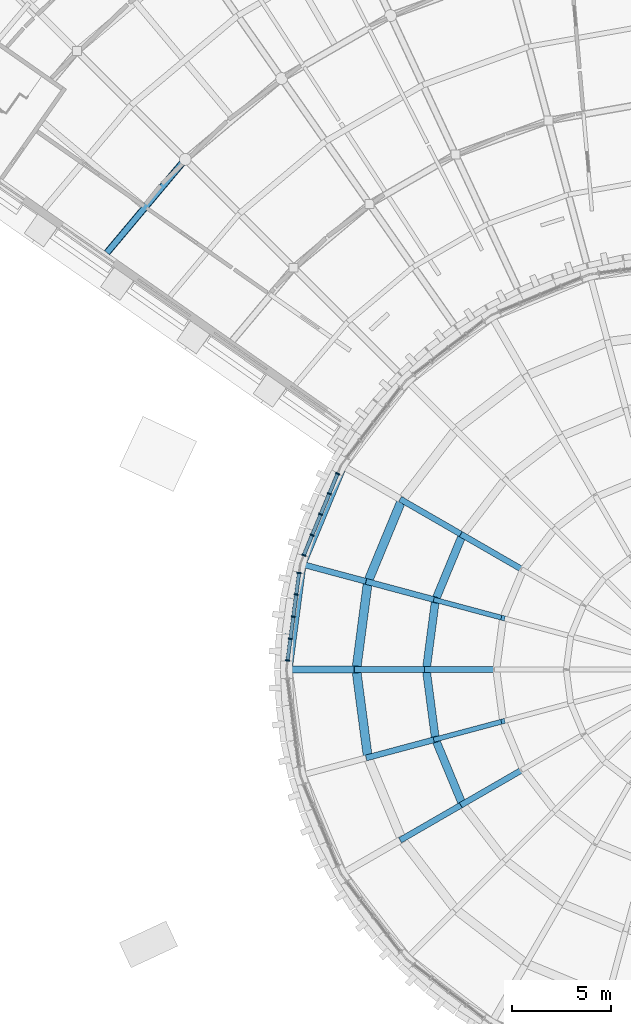
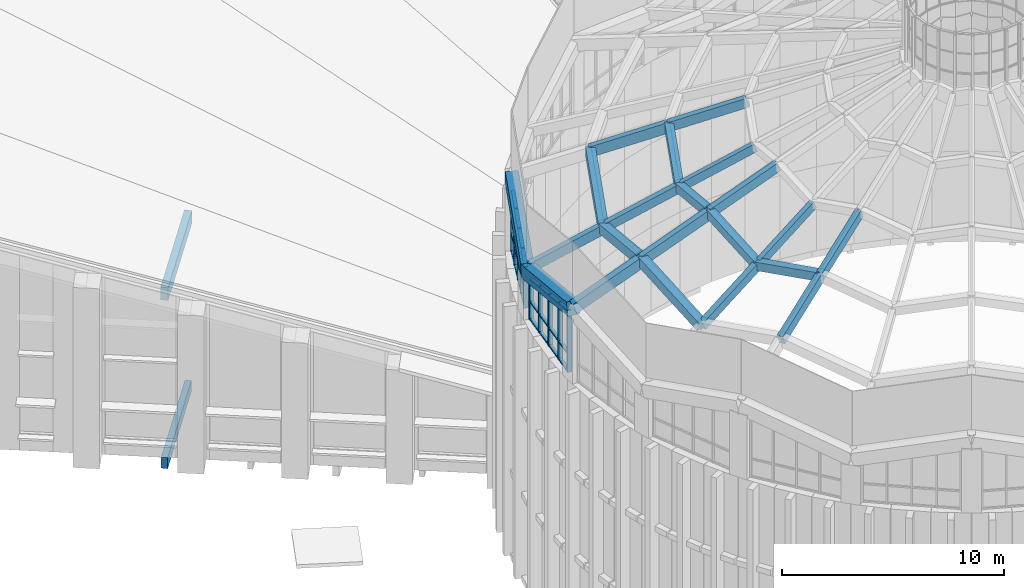
# One storey, part 9 of 82: 34 members, 23 beams, 2 elements without a shape of their own.
"""IFC4 building model written with IfcOpenShell, lengths in metres."""

from ifc_helpers import new_model, si_unit, direction, frame, origin, origin_2d, place, context, subcontext, project, spatial, rectangle, extrude, material, layer, layer_set, material_profile, profile_set, type_object, element, aggregate, save


model = new_model("IFC4")

# Units and contexts
model_context = context("Model", 3, precision=1e-05, world=origin(), true_north=direction((0.0, 1.0)))
body_context = subcontext(model_context, "Body", "Model", "MODEL_VIEW")
ifc_project = project(units=[si_unit("LENGTHUNIT", "METRE"), si_unit("AREAUNIT", "SQUARE_METRE"), si_unit("VOLUMEUNIT", "CUBIC_METRE"), si_unit("PLANEANGLEUNIT", "RADIAN"), si_unit("MASSUNIT", "GRAM", prefix="KILO")], contexts=[model_context])

# Site, building, storey
site_placement = place(None, origin())
site = spatial("IfcSite", under=ifc_project, at=site_placement, CompositionType="ELEMENT")
building_placement = place(site_placement, origin())
building = spatial("IfcBuilding", under=site, at=building_placement, Name="Volute Hill Aquarium", CompositionType="ELEMENT")
storey_placement = place(building_placement, frame((0.0, 0.0, 13.800048828125)))
storey = spatial("IfcBuildingStorey", under=building, at=storey_placement, Name="L04", CompositionType="ELEMENT", Elevation=13.800048828125)

# Beams
ifc_material_1 = material(Name="Concrete C35/45", Category="concrete")
ifc_material_profile_1 = material_profile(ifc_material_1, rectangle(XDim=0.300048828125, YDim=0.60009765625, at=origin_2d()), Name="RC beam 300x600")
ifc_profile_set_1 = profile_set([ifc_material_profile_1], Name="Concrete C35/45")
beam_type_1 = type_object("IfcBeamType", Name="Beam 300x600 C35/45", PredefinedType="BEAM", material=ifc_profile_set_1)
beam_1_placement = place(storey_placement, frame((-25.809326171875, 25.809326171875, -0.6201171875), z_axis=(-0.642803579535, -0.766031042541, 0.0), x_axis=(0.766031042541, -0.642803579535, 0.0)))
element("IfcBeam", 1, at=beam_1_placement, inside=storey, type_object=beam_type_1, Name="bm/S6/L04/ring2.26", PredefinedType="BEAM", context=body_context, shape_type="SweptSolid", body=[
    extrude(rectangle(XDim=0.300048828125, YDim=0.60009765625, at=origin_2d()), origin(), (0.0, 0.0, 1.0), 6.16162109375),
])
ifc_material_2 = material(Name="Concrete C35/45", Category="concrete")
ifc_material_profile_2 = material_profile(ifc_material_2, rectangle(XDim=0.35009765625, YDim=0.699951171875, at=origin_2d()), Name="RC beam 350x700")
ifc_profile_set_2 = profile_set([ifc_material_profile_2], Name="Concrete C35/45")
beam_type_2 = type_object("IfcBeamType", Name="Beam 350x700 C35/45", PredefinedType="BEAM", material=ifc_profile_set_2)
beam_2_placement = place(storey_placement, frame((-25.809326171875, 25.809326171875, 8.676513671875), z_axis=(-0.642803579535, -0.766031042541, 0.0), x_axis=(0.766031042541, -0.642803579535, 0.0)))
element("IfcBeam", 2, at=beam_2_placement, inside=storey, type_object=beam_type_2, Name="rb/S6/L04/ring2.26", PredefinedType="BEAM", context=body_context, shape_type="SweptSolid", body=[
    extrude(rectangle(XDim=0.35009765625, YDim=0.699951171875, at=origin_2d()), origin(), (0.0, 0.0, 1.0), 6.16162109375),
])

# Curtain wall, members
ifc_material_3 = material(Name="Aluminium", Category="aluminium")
ifc_layer = layer(ifc_material_3, 0.219970703125)
ifc_layer_set = layer_set([ifc_layer], Name="Curtain wall DR clerestory module 1134")
curtain_wall_type = type_object("IfcCurtainWallType", Name="Curtain wall DR clerestory module 1134", PredefinedType="NOTDEFINED", material=ifc_layer_set)
curtain_wall_1_placement = place(storey_placement, origin())
curtain_wall_1 = element("IfcCurtainWall", 3, at=curtain_wall_1_placement, inside=storey, type_object=curtain_wall_type, Name="Curtain wall CW DR clerestory c10", PredefinedType="NOTDEFINED")
ifc_material_4 = material(Name="Aluminium", Category="aluminium")
ifc_material_profile_3 = material_profile(ifc_material_4, rectangle(XDim=0.219970703125, YDim=0.070068359375, at=origin_2d()), Name="Curtain wall mullion clerestory 70x220")
ifc_profile_set_3 = profile_set([ifc_material_profile_3], Name="Aluminium")
member_type_1 = type_object("IfcMemberType", Name="Curtain wall mullion clerestory 70x220", PredefinedType="MULLION", material=ifc_profile_set_3)
member_1_placement = place(storey_placement, frame((-18.106201171875, 9.916748046875, 13.699951171875), z_axis=(0.0, 0.0, 1.0), x_axis=(0.923874284426, -0.382696102118, 0.0)))
member_1 = element("IfcMember", 4, at=member_1_placement, type_object=member_type_1, Name="Mullion DR clerestory 1", PredefinedType="MULLION", context=body_context, shape_type="SweptSolid", body=[
    extrude(rectangle(XDim=0.219970703125, YDim=0.070068359375, at=origin_2d()), origin(), (0.0, 0.0, 1.0), 3.40576171875),
])
member_2_placement = place(storey_placement, frame((-18.526611328125, 8.9013671875, 13.699951171875), z_axis=(0.0, 0.0, 1.0), x_axis=(0.923874284426, -0.382696102118, 0.0)))
member_2 = element("IfcMember", 5, at=member_2_placement, type_object=member_type_1, Name="Mullion DR clerestory 2", PredefinedType="MULLION", context=body_context, shape_type="SweptSolid", body=[
    extrude(rectangle(XDim=0.219970703125, YDim=0.070068359375, at=origin_2d()), origin(), (0.0, 0.0, 1.0), 3.12109375),
])
member_3_placement = place(storey_placement, frame((-18.960693359375, 7.853759765625, 13.699951171875), z_axis=(0.0, 0.0, 1.0), x_axis=(0.923874284426, -0.382696102118, 0.0)))
member_3 = element("IfcMember", 6, at=member_3_placement, type_object=member_type_1, Name="Mullion DR clerestory 3", PredefinedType="MULLION", context=body_context, shape_type="SweptSolid", body=[
    extrude(rectangle(XDim=0.219970703125, YDim=0.070068359375, at=origin_2d()), origin(), (0.0, 0.0, 1.0), 2.827392578125),
])
member_4_placement = place(storey_placement, frame((-19.394775390625, 6.80615234375, 13.699951171875), z_axis=(0.0, 0.0, 1.0), x_axis=(0.923874284426, -0.382696102118, 0.0)))
member_4 = element("IfcMember", 7, at=member_4_placement, type_object=member_type_1, Name="Mullion DR clerestory 4", PredefinedType="MULLION", context=body_context, shape_type="SweptSolid", body=[
    extrude(rectangle(XDim=0.219970703125, YDim=0.070068359375, at=origin_2d()), origin(), (0.0, 0.0, 1.0), 2.533447265625),
])
member_5_placement = place(storey_placement, frame((-19.815185546875, 5.790771484375, 13.699951171875), z_axis=(0.0, 0.0, 1.0), x_axis=(0.923874284426, -0.382696102118, 0.0)))
member_5 = element("IfcMember", 8, at=member_5_placement, type_object=member_type_1, Name="Mullion DR clerestory 5", PredefinedType="MULLION", context=body_context, shape_type="SweptSolid", body=[
    extrude(rectangle(XDim=0.219970703125, YDim=0.070068359375, at=origin_2d()), origin(), (0.0, 0.0, 1.0), 2.248779296875),
])

curtain_wall_2_placement = place(storey_placement, origin())
curtain_wall_2 = element("IfcCurtainWall", 9, at=curtain_wall_2_placement, inside=storey, type_object=curtain_wall_type, Name="Curtain wall CW DR clerestory c11", PredefinedType="NOTDEFINED")
member_6_placement = place(storey_placement, frame((-20.055908203125, 4.892822265625, 13.699951171875), z_axis=(0.0, 0.0, 1.0), x_axis=(0.991445853287, -0.130518657667, 0.0)))
member_6 = element("IfcMember", 10, at=member_6_placement, type_object=member_type_1, Name="Mullion DR clerestory 1", PredefinedType="MULLION", context=body_context, shape_type="SweptSolid", body=[
    extrude(rectangle(XDim=0.219970703125, YDim=0.070068359375, at=origin_2d()), origin(), (0.0, 0.0, 1.0), 2.248779296875),
])
member_7_placement = place(storey_placement, frame((-20.19921875, 3.80322265625, 13.699951171875), z_axis=(0.0, 0.0, 1.0), x_axis=(0.991445853287, -0.130518657667, 0.0)))
member_7 = element("IfcMember", 11, at=member_7_placement, type_object=member_type_1, Name="Mullion DR clerestory 2", PredefinedType="MULLION", context=body_context, shape_type="SweptSolid", body=[
    extrude(rectangle(XDim=0.219970703125, YDim=0.070068359375, at=origin_2d()), origin(), (0.0, 0.0, 1.0), 2.533447265625),
])
member_8_placement = place(storey_placement, frame((-20.347412109375, 2.6787109375, 13.699951171875), z_axis=(0.0, 0.0, 1.0), x_axis=(0.991445853287, -0.130518657667, 0.0)))
member_8 = element("IfcMember", 12, at=member_8_placement, type_object=member_type_1, Name="Mullion DR clerestory 3", PredefinedType="MULLION", context=body_context, shape_type="SweptSolid", body=[
    extrude(rectangle(XDim=0.219970703125, YDim=0.070068359375, at=origin_2d()), origin(), (0.0, 0.0, 1.0), 2.827392578125),
])
member_9_placement = place(storey_placement, frame((-20.495361328125, 1.554443359375, 13.699951171875), z_axis=(0.0, 0.0, 1.0), x_axis=(0.991445853287, -0.130518657667, 0.0)))
member_9 = element("IfcMember", 13, at=member_9_placement, type_object=member_type_1, Name="Mullion DR clerestory 4", PredefinedType="MULLION", context=body_context, shape_type="SweptSolid", body=[
    extrude(rectangle(XDim=0.219970703125, YDim=0.070068359375, at=origin_2d()), origin(), (0.0, 0.0, 1.0), 3.12109375),
])
member_10_placement = place(storey_placement, frame((-20.638916015625, 0.46484375, 13.699951171875), z_axis=(0.0, 0.0, 1.0), x_axis=(0.991445853287, -0.130518657667, 0.0)))
member_10 = element("IfcMember", 14, at=member_10_placement, type_object=member_type_1, Name="Mullion DR clerestory 5", PredefinedType="MULLION", context=body_context, shape_type="SweptSolid", body=[
    extrude(rectangle(XDim=0.219970703125, YDim=0.070068359375, at=origin_2d()), origin(), (0.0, 0.0, 1.0), 3.40576171875),
])

# Member
ifc_material_5 = material(Name="Aluminium", Category="aluminium")
ifc_material_profile_4 = material_profile(ifc_material_5, rectangle(XDim=0.179931640625, YDim=0.070068359375, at=origin_2d()), Name="Curtain wall transom clerestory 70x180")
ifc_profile_set_4 = profile_set([ifc_material_profile_4], Name="Aluminium")
member_type_2 = type_object("IfcMemberType", Name="Curtain wall transom clerestory 70x180", PredefinedType="USERDEFINED", material=ifc_profile_set_4)
member_11_placement = place(storey_placement, frame((-18.11962890625, 9.884521484375, 13.73486328125), z_axis=(-0.382694041496, -0.923875137994, 0.0), x_axis=(0.923875137994, -0.382694041496, 0.0)))
member_11 = element("IfcMember", 15, at=member_11_placement, type_object=member_type_2, Name="Transom DR clerestory 1.1", ObjectType="TRANSOM", PredefinedType="USERDEFINED", context=body_context, shape_type="SweptSolid", body=[
    extrude(rectangle(XDim=0.179931640625, YDim=0.070068359375, at=origin_2d()), origin(), (0.0, 0.0, 1.0), 1.029052734375),
])

member_12_placement = place(storey_placement, frame((-18.11962890625, 9.884521484375, 14.699951171875), z_axis=(-0.382694041496, -0.923875137994, 0.0), x_axis=(0.923875137994, -0.382694041496, 0.0)))
member_12 = element("IfcMember", 16, at=member_12_placement, type_object=member_type_2, Name="Transom DR clerestory 1.2", ObjectType="TRANSOM", PredefinedType="USERDEFINED", context=body_context, shape_type="SweptSolid", body=[
    extrude(rectangle(XDim=0.179931640625, YDim=0.070068359375, at=origin_2d()), origin(), (0.0, 0.0, 1.0), 1.029052734375),
])

member_13_placement = place(storey_placement, frame((-18.11962890625, 9.884521484375, 17.061767578125), z_axis=(-0.370462446249, -0.894346413946, -0.250802846438), x_axis=(0.923875137994, -0.382694041496, 0.0)))
member_13 = element("IfcMember", 17, at=member_13_placement, type_object=member_type_2, Name="Head member DR clerestory 1", ObjectType="TRANSOM", PredefinedType="USERDEFINED", context=body_context, shape_type="SweptSolid", body=[
    extrude(rectangle(XDim=0.179931640625, YDim=0.070068359375, at=origin_2d()), origin(), (0.0, 0.0, 1.0), 1.06298828125),
])

member_14_placement = place(storey_placement, frame((-18.5400390625, 8.869140625, 13.73486328125), z_axis=(-0.38275711533, -0.923849008585, 0.0), x_axis=(0.923849008585, -0.38275711533, 0.0)))
member_14 = element("IfcMember", 18, at=member_14_placement, type_object=member_type_2, Name="Transom DR clerestory 2.1", ObjectType="TRANSOM", PredefinedType="USERDEFINED", context=body_context, shape_type="SweptSolid", body=[
    extrude(rectangle(XDim=0.179931640625, YDim=0.070068359375, at=origin_2d()), origin(), (0.0, 0.0, 1.0), 1.06396484375),
])

member_15_placement = place(storey_placement, frame((-18.5400390625, 8.869140625, 14.699951171875), z_axis=(-0.38275711533, -0.923849008585, 0.0), x_axis=(0.923849008585, -0.38275711533, 0.0)))
member_15 = element("IfcMember", 19, at=member_15_placement, type_object=member_type_2, Name="Transom DR clerestory 2.2", ObjectType="TRANSOM", PredefinedType="USERDEFINED", context=body_context, shape_type="SweptSolid", body=[
    extrude(rectangle(XDim=0.179931640625, YDim=0.070068359375, at=origin_2d()), origin(), (0.0, 0.0, 1.0), 1.06396484375),
])

member_16_placement = place(storey_placement, frame((-18.5400390625, 8.869140625, 16.777099609375), z_axis=(-0.3705038637, -0.894273714183, -0.251000818934), x_axis=(0.923849008585, -0.38275711533, 0.0)))
member_16 = element("IfcMember", 20, at=member_16_placement, type_object=member_type_2, Name="Head member DR clerestory 2", ObjectType="TRANSOM", PredefinedType="USERDEFINED", context=body_context, shape_type="SweptSolid", body=[
    extrude(rectangle(XDim=0.179931640625, YDim=0.070068359375, at=origin_2d()), origin(), (0.0, 0.0, 1.0), 1.09912109375),
])

member_17_placement = place(storey_placement, frame((-18.97412109375, 7.821533203125, 13.73486328125), z_axis=(-0.382675987972, -0.923882616045, 0.0), x_axis=(0.923882616045, -0.382675987972, 0.0)))
member_17 = element("IfcMember", 21, at=member_17_placement, type_object=member_type_2, Name="Transom DR clerestory 3.1", ObjectType="TRANSOM", PredefinedType="USERDEFINED", context=body_context, shape_type="SweptSolid", body=[
    extrude(rectangle(XDim=0.179931640625, YDim=0.070068359375, at=origin_2d()), origin(), (0.0, 0.0, 1.0), 1.064208984375),
])

member_18_placement = place(storey_placement, frame((-18.97412109375, 7.821533203125, 14.699951171875), z_axis=(-0.382675987972, -0.923882616045, 0.0), x_axis=(0.923882616045, -0.382675987972, 0.0)))
member_18 = element("IfcMember", 22, at=member_18_placement, type_object=member_type_2, Name="Transom DR clerestory 3.2", ObjectType="TRANSOM", PredefinedType="USERDEFINED", context=body_context, shape_type="SweptSolid", body=[
    extrude(rectangle(XDim=0.179931640625, YDim=0.070068359375, at=origin_2d()), origin(), (0.0, 0.0, 1.0), 1.064208984375),
])

member_19_placement = place(storey_placement, frame((-18.97412109375, 7.821533203125, 16.483154296875), z_axis=(-0.37045091668, -0.894368010473, -0.250742856674), x_axis=(0.923882616045, -0.382675987972, 0.0)))
member_19 = element("IfcMember", 23, at=member_19_placement, type_object=member_type_2, Name="Head member DR clerestory 3", ObjectType="TRANSOM", PredefinedType="USERDEFINED", context=body_context, shape_type="SweptSolid", body=[
    extrude(rectangle(XDim=0.179931640625, YDim=0.070068359375, at=origin_2d()), origin(), (0.0, 0.0, 1.0), 1.099365234375),
])

member_20_placement = place(storey_placement, frame((-19.407958984375, 6.773681640625, 13.73486328125), z_axis=(-0.382777942923, -0.923840379293, 0.0), x_axis=(0.923840379293, -0.382777942923, 0.0)))
member_20 = element("IfcMember", 24, at=member_20_placement, type_object=member_type_2, Name="Transom DR clerestory 4.1", ObjectType="TRANSOM", PredefinedType="USERDEFINED", context=body_context, shape_type="SweptSolid", body=[
    extrude(rectangle(XDim=0.179931640625, YDim=0.070068359375, at=origin_2d()), origin(), (0.0, 0.0, 1.0), 1.02880859375),
])

member_21_placement = place(storey_placement, frame((-19.407958984375, 6.773681640625, 14.699951171875), z_axis=(-0.382777942923, -0.923840379293, 0.0), x_axis=(0.923840379293, -0.382777942923, 0.0)))
member_21 = element("IfcMember", 25, at=member_21_placement, type_object=member_type_2, Name="Transom DR clerestory 4.2", ObjectType="TRANSOM", PredefinedType="USERDEFINED", context=body_context, shape_type="SweptSolid", body=[
    extrude(rectangle(XDim=0.179931640625, YDim=0.070068359375, at=origin_2d()), origin(), (0.0, 0.0, 1.0), 1.02880859375),
])

member_22_placement = place(storey_placement, frame((-19.407958984375, 6.773681640625, 16.189453125), z_axis=(-0.370538555568, -0.894300432006, -0.250854372399), x_axis=(0.923840379293, -0.382777942923, 0.0)))
member_22 = element("IfcMember", 26, at=member_22_placement, type_object=member_type_2, Name="Head member DR clerestory 4", ObjectType="TRANSOM", PredefinedType="USERDEFINED", context=body_context, shape_type="SweptSolid", body=[
    extrude(rectangle(XDim=0.179931640625, YDim=0.070068359375, at=origin_2d()), origin(), (0.0, 0.0, 1.0), 1.062744140625),
])

aggregate(curtain_wall_1, [member_1, member_2, member_3, member_4, member_5, member_11, member_12, member_13, member_14, member_15, member_16, member_17, member_18, member_19, member_20, member_21, member_22])

member_23_placement = place(storey_placement, frame((-20.060546875, 4.85791015625, 13.73486328125), z_axis=(-0.130515897359, -0.991446216664, 0.0), x_axis=(0.991446216664, -0.130515897359, 0.0)))
member_23 = element("IfcMember", 27, at=member_23_placement, type_object=member_type_2, Name="Transom DR clerestory 1.1", ObjectType="TRANSOM", PredefinedType="USERDEFINED", context=body_context, shape_type="SweptSolid", body=[
    extrude(rectangle(XDim=0.179931640625, YDim=0.070068359375, at=origin_2d()), origin(), (0.0, 0.0, 1.0), 1.02880859375),
])

member_24_placement = place(storey_placement, frame((-20.060546875, 4.85791015625, 14.699951171875), z_axis=(-0.130515897359, -0.991446216664, 0.0), x_axis=(0.991446216664, -0.130515897359, 0.0)))
member_24 = element("IfcMember", 28, at=member_24_placement, type_object=member_type_2, Name="Transom DR clerestory 1.2", ObjectType="TRANSOM", PredefinedType="USERDEFINED", context=body_context, shape_type="SweptSolid", body=[
    extrude(rectangle(XDim=0.179931640625, YDim=0.070068359375, at=origin_2d()), origin(), (0.0, 0.0, 1.0), 1.02880859375),
])

member_25_placement = place(storey_placement, frame((-20.060546875, 4.85791015625, 15.9228515625), z_axis=(-0.126342846429, -0.959746204329, 0.250847978728), x_axis=(0.991446216664, -0.130515897359, 0.0)))
member_25 = element("IfcMember", 29, at=member_25_placement, type_object=member_type_2, Name="Head member DR clerestory 1", ObjectType="TRANSOM", PredefinedType="USERDEFINED", context=body_context, shape_type="SweptSolid", body=[
    extrude(rectangle(XDim=0.179931640625, YDim=0.070068359375, at=origin_2d()), origin(), (0.0, 0.0, 1.0), 1.062744140625),
])

member_26_placement = place(storey_placement, frame((-20.203857421875, 3.768310546875, 13.73486328125), z_axis=(-0.1305554124, -0.991441014026, 0.0), x_axis=(0.991441014026, -0.1305554124, 0.0)))
member_26 = element("IfcMember", 30, at=member_26_placement, type_object=member_type_2, Name="Transom DR clerestory 2.1", ObjectType="TRANSOM", PredefinedType="USERDEFINED", context=body_context, shape_type="SweptSolid", body=[
    extrude(rectangle(XDim=0.179931640625, YDim=0.070068359375, at=origin_2d()), origin(), (0.0, 0.0, 1.0), 1.06396484375),
])

member_27_placement = place(storey_placement, frame((-20.203857421875, 3.768310546875, 14.699951171875), z_axis=(-0.1305554124, -0.991441014026, 0.0), x_axis=(0.991441014026, -0.1305554124, 0.0)))
member_27 = element("IfcMember", 31, at=member_27_placement, type_object=member_type_2, Name="Transom DR clerestory 2.2", ObjectType="TRANSOM", PredefinedType="USERDEFINED", context=body_context, shape_type="SweptSolid", body=[
    extrude(rectangle(XDim=0.179931640625, YDim=0.070068359375, at=origin_2d()), origin(), (0.0, 0.0, 1.0), 1.06396484375),
])

member_28_placement = place(storey_placement, frame((-20.203857421875, 3.768310546875, 16.20751953125), z_axis=(-0.126383785423, -0.959761576118, 0.250768530302), x_axis=(0.991441014026, -0.1305554124, 0.0)))
member_28 = element("IfcMember", 32, at=member_28_placement, type_object=member_type_2, Name="Head member DR clerestory 2", ObjectType="TRANSOM", PredefinedType="USERDEFINED", context=body_context, shape_type="SweptSolid", body=[
    extrude(rectangle(XDim=0.179931640625, YDim=0.070068359375, at=origin_2d()), origin(), (0.0, 0.0, 1.0), 1.09912109375),
])

member_29_placement = place(storey_placement, frame((-20.351806640625, 2.64404296875, 13.73486328125), z_axis=(-0.1305554124, -0.991441014026, 0.0), x_axis=(0.991441014026, -0.1305554124, 0.0)))
member_29 = element("IfcMember", 33, at=member_29_placement, type_object=member_type_2, Name="Transom DR clerestory 3.1", ObjectType="TRANSOM", PredefinedType="USERDEFINED", context=body_context, shape_type="SweptSolid", body=[
    extrude(rectangle(XDim=0.179931640625, YDim=0.070068359375, at=origin_2d()), origin(), (0.0, 0.0, 1.0), 1.06396484375),
])

member_30_placement = place(storey_placement, frame((-20.351806640625, 2.64404296875, 14.699951171875), z_axis=(-0.1305554124, -0.991441014026, 0.0), x_axis=(0.991441014026, -0.1305554124, 0.0)))
member_30 = element("IfcMember", 34, at=member_30_placement, type_object=member_type_2, Name="Transom DR clerestory 3.2", ObjectType="TRANSOM", PredefinedType="USERDEFINED", context=body_context, shape_type="SweptSolid", body=[
    extrude(rectangle(XDim=0.179931640625, YDim=0.070068359375, at=origin_2d()), origin(), (0.0, 0.0, 1.0), 1.06396484375),
])

member_31_placement = place(storey_placement, frame((-20.351806640625, 2.64404296875, 16.501220703125), z_axis=(-0.126376743366, -0.959708098571, 0.250976660816), x_axis=(0.991441014026, -0.1305554124, 0.0)))
member_31 = element("IfcMember", 35, at=member_31_placement, type_object=member_type_2, Name="Head member DR clerestory 3", ObjectType="TRANSOM", PredefinedType="USERDEFINED", context=body_context, shape_type="SweptSolid", body=[
    extrude(rectangle(XDim=0.179931640625, YDim=0.070068359375, at=origin_2d()), origin(), (0.0, 0.0, 1.0), 1.09912109375),
])

member_32_placement = place(storey_placement, frame((-20.5, 1.519775390625, 13.73486328125), z_axis=(-0.130485197808, -0.991450257528, 0.0), x_axis=(0.991450257528, -0.130485197808, 0.0)))
member_32 = element("IfcMember", 36, at=member_32_placement, type_object=member_type_2, Name="Transom DR clerestory 4.1", ObjectType="TRANSOM", PredefinedType="USERDEFINED", context=body_context, shape_type="SweptSolid", body=[
    extrude(rectangle(XDim=0.179931640625, YDim=0.070068359375, at=origin_2d()), origin(), (0.0, 0.0, 1.0), 1.029052734375),
])

member_33_placement = place(storey_placement, frame((-20.5, 1.519775390625, 14.699951171875), z_axis=(-0.130485197808, -0.991450257528, 0.0), x_axis=(0.991450257528, -0.130485197808, 0.0)))
member_33 = element("IfcMember", 37, at=member_33_placement, type_object=member_type_2, Name="Transom DR clerestory 4.2", ObjectType="TRANSOM", PredefinedType="USERDEFINED", context=body_context, shape_type="SweptSolid", body=[
    extrude(rectangle(XDim=0.179931640625, YDim=0.070068359375, at=origin_2d()), origin(), (0.0, 0.0, 1.0), 1.029052734375),
])

member_34_placement = place(storey_placement, frame((-20.5, 1.519775390625, 16.795166015625), z_axis=(-0.126314997828, -0.959764319859, 0.250792686596), x_axis=(0.991450257528, -0.130485197808, 0.0)))
member_34 = element("IfcMember", 38, at=member_34_placement, type_object=member_type_2, Name="Head member DR clerestory 4", ObjectType="TRANSOM", PredefinedType="USERDEFINED", context=body_context, shape_type="SweptSolid", body=[
    extrude(rectangle(XDim=0.179931640625, YDim=0.070068359375, at=origin_2d()), origin(), (0.0, 0.0, 1.0), 1.06298828125),
])

aggregate(curtain_wall_2, [member_6, member_7, member_8, member_9, member_10, member_23, member_24, member_25, member_26, member_27, member_28, member_29, member_30, member_31, member_32, member_33, member_34])

# Beams
ifc_material_6 = material(Name="Concrete C40/50", Category="concrete")
ifc_material_profile_5 = material_profile(ifc_material_6, rectangle(XDim=0.60009765625, YDim=0.699951171875, at=origin_2d()), Name="RC beam 600x700")
ifc_profile_set_5 = profile_set([ifc_material_profile_5], Name="Concrete C40/50")
beam_type_3 = type_object("IfcBeamType", Name="Dome shell eave ring beam 600x700", PredefinedType="BEAM", material=ifc_profile_set_5)
beam_3_placement = place(storey_placement, frame((-17.9267578125, 10.35009765625, 17.51611328125), z_axis=(-0.370444717355, -0.894359389043, -0.250782763791), x_axis=(0.923883575944, -0.382673670509, 0.0)))
element("IfcBeam", 39, at=beam_3_placement, inside=storey, type_object=beam_type_3, Name="rb/DR/L04/eave.10", PredefinedType="BEAM", context=body_context, shape_type="SweptSolid", body=[
    extrude(rectangle(XDim=0.60009765625, YDim=0.699951171875, at=origin_2d()), origin(), (0.0, 0.0, 1.0), 5.58203125),
])
beam_4_placement = place(storey_placement, frame((-19.99462890625, 5.357666015625, 16.1162109375), z_axis=(-0.126350331942, -0.959763944084, 0.250776325148), x_axis=(0.991445528216, -0.130521126954, 0.0)))
element("IfcBeam", 40, at=beam_4_placement, inside=storey, type_object=beam_type_3, Name="rb/DR/L04/eave.11", PredefinedType="BEAM", context=body_context, shape_type="SweptSolid", body=[
    extrude(rectangle(XDim=0.60009765625, YDim=0.699951171875, at=origin_2d()), origin(), (0.0, 0.0, 1.0), 5.582275390625),
])
ifc_material_7 = material(Name="Concrete C40/50", Category="concrete")
ifc_material_profile_6 = material_profile(ifc_material_7, rectangle(XDim=0.300048828125, YDim=0.5, at=origin_2d()), Name="RC rib 300x500")
ifc_profile_set_6 = profile_set([ifc_material_profile_6], Name="Concrete C40/50")
beam_type_4 = type_object("IfcBeamType", Name="Dome shell ridge rib 300x500", PredefinedType="BEAM", material=ifc_profile_set_6)
beam_5_placement = place(storey_placement, frame((-11.79541015625, 6.81005859375, 20.294677734375), z_axis=(0.809782663911, -0.467504723153, 0.354529788675), x_axis=(0.499981137809, 0.866036293601, 0.0)))
element("IfcBeam", 41, at=beam_5_placement, inside=storey, type_object=beam_type_4, Name="rb/DR/L04/ridge2.10", PredefinedType="BEAM", context=body_context, shape_type="SweptSolid", body=[
    extrude(rectangle(XDim=0.300048828125, YDim=0.5, at=origin_2d()), origin(), (0.0, 0.0, 1.0), 3.7861328125),
])
beam_6_placement = place(storey_placement, frame((-13.6201171875, 0.0, 20.294677734375), z_axis=(0.935040286435, 0.0, 0.354541482401), x_axis=(0.0, 1.0, 0.0)))
element("IfcBeam", 42, at=beam_6_placement, inside=storey, type_object=beam_type_4, Name="rb/DR/L04/ridge2.12", PredefinedType="BEAM", context=body_context, shape_type="SweptSolid", body=[
    extrude(rectangle(XDim=0.300048828125, YDim=0.5, at=origin_2d()), origin(), (0.0, 0.0, 1.0), 3.785888671875),
])
beam_7_placement = place(storey_placement, frame((-11.79541015625, -6.81005859375, 20.294677734375), z_axis=(0.809782663911, 0.467504723153, 0.354529788675), x_axis=(-0.499981137809, 0.866036293601, 0.0)))
element("IfcBeam", 43, at=beam_7_placement, inside=storey, type_object=beam_type_4, Name="rb/DR/L04/ridge2.14", PredefinedType="BEAM", context=body_context, shape_type="SweptSolid", body=[
    extrude(rectangle(XDim=0.300048828125, YDim=0.5, at=origin_2d()), origin(), (0.0, 0.0, 1.0), 3.7861328125),
])
ifc_material_8 = material(Name="Concrete C40/50", Category="concrete")
ifc_material_profile_7 = material_profile(ifc_material_8, rectangle(XDim=0.300048828125, YDim=0.550048828125, at=origin_2d()), Name="RC rib 300x550")
ifc_profile_set_7 = profile_set([ifc_material_profile_7], Name="Concrete C40/50")
beam_type_5 = type_object("IfcBeamType", Name="Dome shell ridge rib 300x550", PredefinedType="BEAM", material=ifc_profile_set_7)
beam_8_placement = place(storey_placement, frame((-14.861083984375, 8.580078125, 18.92578125), z_axis=(0.809760463627, -0.467529136043, 0.354548302064), x_axis=(0.500011000363, 0.866019052629, 0.0)))
element("IfcBeam", 44, at=beam_8_placement, inside=storey, type_object=beam_type_5, Name="rb/DR/L04/ridge1.10", PredefinedType="BEAM", context=body_context, shape_type="SweptSolid", body=[
    extrude(rectangle(XDim=0.300048828125, YDim=0.550048828125, at=origin_2d()), origin(), (0.0, 0.0, 1.0), 3.785888671875),
])
beam_9_placement = place(storey_placement, frame((-17.159912109375, 0.0, 18.92578125), z_axis=(0.935032179892, 0.0, 0.354562861235), x_axis=(0.0, 1.0, 0.0)))
element("IfcBeam", 45, at=beam_9_placement, inside=storey, type_object=beam_type_5, Name="rb/DR/L04/ridge1.12", PredefinedType="BEAM", context=body_context, shape_type="SweptSolid", body=[
    extrude(rectangle(XDim=0.300048828125, YDim=0.550048828125, at=origin_2d()), origin(), (0.0, 0.0, 1.0), 3.78564453125),
])
beam_10_placement = place(storey_placement, frame((-14.861083984375, -8.580078125, 18.92578125), z_axis=(0.809760463627, 0.467529136043, 0.354548302064), x_axis=(-0.500011000363, 0.866019052629, 0.0)))
element("IfcBeam", 46, at=beam_10_placement, inside=storey, type_object=beam_type_5, Name="rb/DR/L04/ridge1.14", PredefinedType="BEAM", context=body_context, shape_type="SweptSolid", body=[
    extrude(rectangle(XDim=0.300048828125, YDim=0.550048828125, at=origin_2d()), origin(), (0.0, 0.0, 1.0), 3.785888671875),
])
ifc_material_9 = material(Name="Concrete C40/50", Category="concrete")
ifc_material_profile_8 = material_profile(ifc_material_9, rectangle(XDim=0.35009765625, YDim=0.60009765625, at=origin_2d()), Name="RC rib 350x600")
ifc_profile_set_8 = profile_set([ifc_material_profile_8], Name="Concrete C40/50")
beam_type_6 = type_object("IfcBeamType", Name="Dome shell ridge rib 350x600", PredefinedType="BEAM", material=ifc_profile_set_8)
beam_11_placement = place(storey_placement, frame((-20.699951171875, 0.0, 17.556884765625), z_axis=(0.935061662861, 0.0, 0.354485100741), x_axis=(0.0, 1.0, 0.0)))
element("IfcBeam", 47, at=beam_11_placement, inside=storey, type_object=beam_type_6, Name="rb/DR/L04/ridge0.12", PredefinedType="BEAM", context=body_context, shape_type="SweptSolid", body=[
    extrude(rectangle(XDim=0.35009765625, YDim=0.60009765625, at=origin_2d()), origin(), (0.0, 0.0, 1.0), 3.785888671875),
])
ifc_material_10 = material(Name="Concrete C40/50", Category="concrete")
ifc_material_profile_9 = material_profile(ifc_material_10, rectangle(XDim=0.39990234375, YDim=0.449951171875, at=origin_2d()), Name="RC beam 400x450")
ifc_profile_set_9 = profile_set([ifc_material_profile_9], Name="Concrete C40/50")
beam_type_7 = type_object("IfcBeamType", Name="Dome shell ring beam 400x450", PredefinedType="BEAM", material=ifc_profile_set_9)
for number, where, z_axis, x_axis, name in (
    (48, (-11.79541015625, 6.81005859375, 20.32958984375), (-0.370439367644, -0.89435881781, -0.250792703054), (0.923885443331, -0.382669162072, 0.0), "rb/DR/L04/ring2.10"),
    (49, (-13.156005859375, 3.525146484375, 19.408447265625), (-0.126359287545, -0.959758944171, 0.250790947874), (0.991444243022, -0.13053088898, 0.0), "rb/DR/L04/ring2.11"),
    (50, (-13.6201171875, 0.0, 20.32958984375), (0.126359287545, -0.959758944171, -0.250790947874), (0.991444243022, 0.13053088898, 0.0), "rb/DR/L04/ring2.12"),
    (51, (-13.156005859375, -3.525146484375, 19.408447265625), (0.370439367644, -0.89435881781, 0.250792703054), (0.923885443331, 0.382669162072, 0.0), "rb/DR/L04/ring2.13"),
):
    element("IfcBeam", number, at=place(storey_placement, frame(where, z_axis=z_axis, x_axis=x_axis)), inside=storey, type_object=beam_type_7, Name=name, PredefinedType="BEAM", context=body_context, shape_type="SweptSolid", body=[
        extrude(rectangle(XDim=0.39990234375, YDim=0.449951171875, at=origin_2d()), origin(), (0.0, 0.0, 1.0), 3.6728515625),
    ])
ifc_material_11 = material(Name="Concrete C40/50", Category="concrete")
ifc_material_profile_10 = material_profile(ifc_material_11, rectangle(XDim=0.449951171875, YDim=0.5, at=origin_2d()), Name="RC beam 450x500")
ifc_profile_set_10 = profile_set([ifc_material_profile_10], Name="Concrete C40/50")
beam_type_8 = type_object("IfcBeamType", Name="Dome shell ring beam 450x500", PredefinedType="BEAM", material=ifc_profile_set_10)
beam_12_placement = place(storey_placement, frame((-14.861083984375, 8.580078125, 18.961669921875), z_axis=(-0.37041738407, -0.894361984725, -0.250813878916), x_axis=(0.923893950929, -0.382648621371, 0.0)))
element("IfcBeam", 52, at=beam_12_placement, inside=storey, type_object=beam_type_8, Name="rb/DR/L04/ring1.10", PredefinedType="BEAM", context=body_context, shape_type="SweptSolid", body=[
    extrude(rectangle(XDim=0.449951171875, YDim=0.5, at=origin_2d()), origin(), (0.0, 0.0, 1.0), 4.62744140625),
])
for number, where, z_axis, x_axis, name in (
    (53, (-16.5751953125, 4.44140625, 17.801025390625), (-0.126353050087, -0.959755610511, 0.250806847646), (0.991445018197, -0.130525001021, 0.0), "rb/DR/L04/ring1.11"),
    (54, (-17.159912109375, 0.0, 18.961669921875), (0.126353050087, -0.959755610511, -0.250806847646), (0.991445018197, 0.130525001021, 0.0), "rb/DR/L04/ring1.12"),
):
    element("IfcBeam", number, at=place(storey_placement, frame(where, z_axis=z_axis, x_axis=x_axis)), inside=storey, type_object=beam_type_8, Name=name, PredefinedType="BEAM", context=body_context, shape_type="SweptSolid", body=[
        extrude(rectangle(XDim=0.449951171875, YDim=0.5, at=origin_2d()), origin(), (0.0, 0.0, 1.0), 4.627685546875),
    ])
ifc_material_12 = material(Name="Concrete C40/50", Category="concrete")
ifc_material_profile_11 = material_profile(ifc_material_12, rectangle(XDim=0.25, YDim=0.449951171875, at=origin_2d()), Name="RC rib 250x450")
ifc_profile_set_11 = profile_set([ifc_material_profile_11], Name="Concrete C40/50")
beam_type_9 = type_object("IfcBeamType", Name="Dome shell valley rib 250x450", PredefinedType="BEAM", material=ifc_profile_set_11)
for number, where, z_axis, x_axis, name in (
    (55, (-13.156005859375, 3.525146484375, 19.39453125), (0.881891859291, -0.236308735393, 0.407952117403), (0.258825711959, 0.965924039886, 0.0), "rb/DR/L04/valley2.11"),
    (56, (-13.156005859375, -3.525146484375, 19.39453125), (0.881891859291, 0.236308735393, 0.407952117403), (-0.258825711959, 0.965924039886, 0.0), "rb/DR/L04/valley2.13"),
):
    element("IfcBeam", number, at=place(storey_placement, frame(where, z_axis=z_axis, x_axis=x_axis)), inside=storey, type_object=beam_type_9, Name=name, PredefinedType="BEAM", context=body_context, shape_type="SweptSolid", body=[
        extrude(rectangle(XDim=0.25, YDim=0.449951171875, at=origin_2d()), origin(), (0.0, 0.0, 1.0), 3.87744140625),
    ])
ifc_material_13 = material(Name="Concrete C40/50", Category="concrete")
ifc_material_profile_12 = material_profile(ifc_material_13, rectangle(XDim=0.300048828125, YDim=0.449951171875, at=origin_2d()), Name="RC rib 300x450")
ifc_profile_set_12 = profile_set([ifc_material_profile_12], Name="Concrete C40/50")
beam_type_10 = type_object("IfcBeamType", Name="Dome shell valley rib 300x450", PredefinedType="BEAM", material=ifc_profile_set_12)
for number, where, z_axis, x_axis, name in (
    (57, (-16.5751953125, 4.44140625, 17.812744140625), (0.881877863035, -0.236321857906, 0.407974771482), (0.258842954733, 0.965919419406, 0.0), "rb/DR/L04/valley1.11"),
    (58, (-16.5751953125, -4.44140625, 17.812744140625), (0.881877863035, 0.236321857906, 0.407974771482), (-0.258842954733, 0.965919419406, 0.0), "rb/DR/L04/valley1.13"),
):
    element("IfcBeam", number, at=place(storey_placement, frame(where, z_axis=z_axis, x_axis=x_axis)), inside=storey, type_object=beam_type_10, Name=name, PredefinedType="BEAM", context=body_context, shape_type="SweptSolid", body=[
        extrude(rectangle(XDim=0.300048828125, YDim=0.449951171875, at=origin_2d()), origin(), (0.0, 0.0, 1.0), 3.877197265625),
    ])
ifc_material_14 = material(Name="Concrete C40/50", Category="concrete")
ifc_material_profile_13 = material_profile(ifc_material_14, rectangle(XDim=0.300048828125, YDim=0.5, at=origin_2d()), Name="RC rib 300x500")
ifc_profile_set_13 = profile_set([ifc_material_profile_13], Name="Concrete C40/50")
beam_type_11 = type_object("IfcBeamType", Name="Dome shell valley rib 300x500", PredefinedType="BEAM", material=ifc_profile_set_13)
beam_13_placement = place(storey_placement, frame((-19.99462890625, 5.357666015625, 16.203857421875), z_axis=(0.881914511416, -0.236314805179, 0.407899629084), x_axis=(0.258825711959, 0.965924039886, 0.0)))
element("IfcBeam", 59, at=beam_13_placement, inside=storey, type_object=beam_type_11, Name="rb/DR/L04/valley0.11", PredefinedType="BEAM", context=body_context, shape_type="SweptSolid", body=[
    extrude(rectangle(XDim=0.300048828125, YDim=0.5, at=origin_2d()), origin(), (0.0, 0.0, 1.0), 3.877197265625),
])

save(model, "model.ifc")
